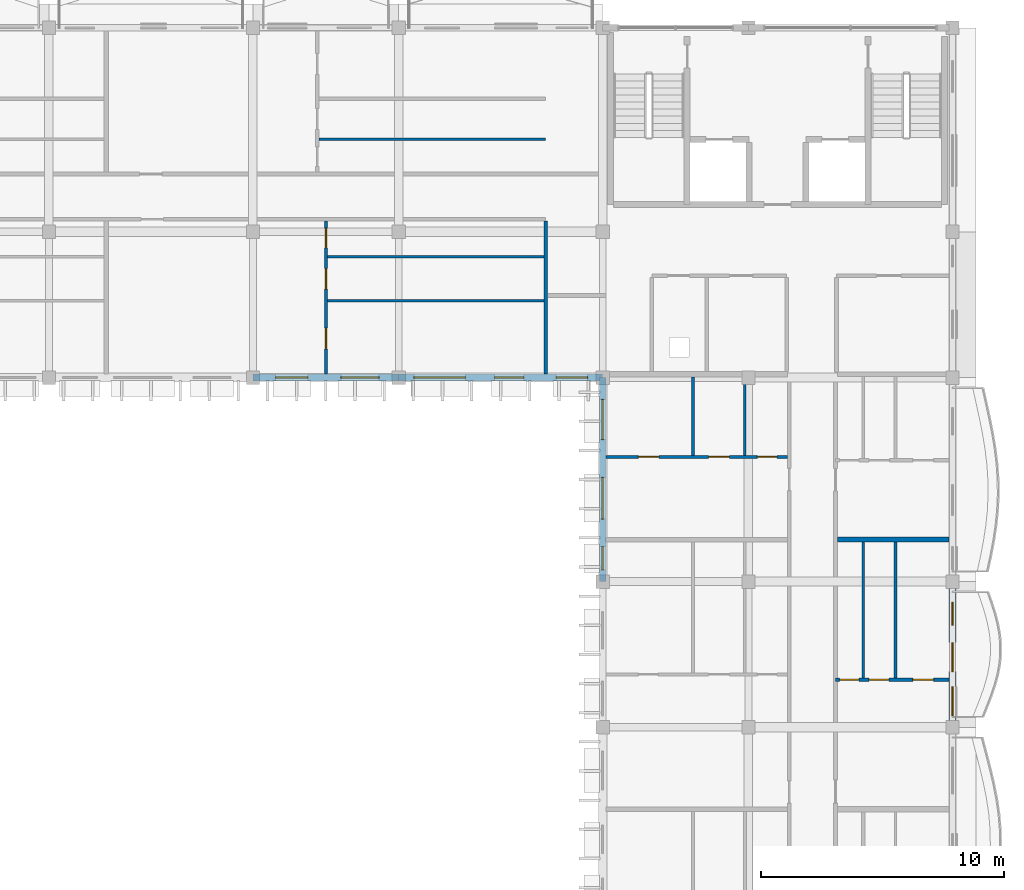
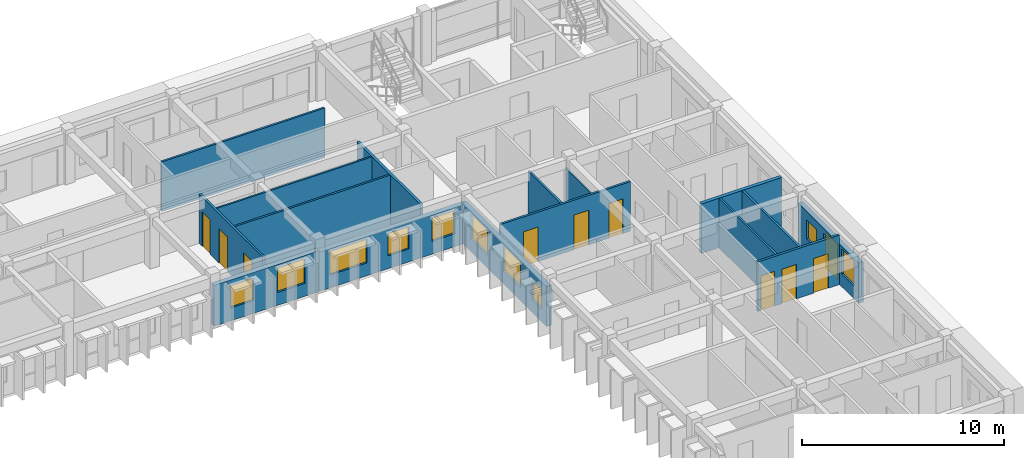
# One storey, part 32 of 59: 16 walls, 10 doors, 10 windows, 20 openings.
"""IFC4 building model written with IfcOpenShell, lengths in metres."""

from ifc_helpers import new_model, si_unit, direction, frame, frame_2d, origin, place, context, subcontext, project, spatial, rectangle, extrude, material, layer, layer_set, type_object, element, fill, save


model = new_model("IFC4")

# Units and contexts
model_context = context("Model", 3, precision=1e-05, world=origin(), true_north=direction((0.0, 1.0)))
body_context = subcontext(model_context, "Body", "Model", "MODEL_VIEW")
ifc_project = project(units=[si_unit("LENGTHUNIT", "METRE"), si_unit("AREAUNIT", "SQUARE_METRE"), si_unit("VOLUMEUNIT", "CUBIC_METRE"), si_unit("PLANEANGLEUNIT", "RADIAN"), si_unit("MASSUNIT", "GRAM", prefix="KILO"), si_unit("THERMODYNAMICTEMPERATUREUNIT", "KELVIN")], contexts=[model_context])

# Site, building, storey
site_placement = place(None, origin())
site = spatial("IfcSite", under=ifc_project, at=site_placement, CompositionType="ELEMENT")
building_placement = place(site_placement, origin())
building = spatial("IfcBuilding", under=site, at=building_placement, Name="Thalorik Housing Commons", CompositionType="ELEMENT")
storey_placement = place(building_placement, frame((0.0, 0.0, 27.89990234375)))
storey = spatial("IfcBuildingStorey", under=building, at=storey_placement, Name="L08", CompositionType="ELEMENT", Elevation=27.89990234375)

# Wall
ifc_material_1 = material(Name="Masonry fire-rated corridor wall", Category="masonry")
ifc_layer_1 = layer(ifc_material_1, 0.14990234375, Name="Masonry fire-rated corridor wall", Category="masonry")
ifc_layer_set_1 = layer_set([ifc_layer_1], Name="Masonry fire-rated corridor wall")
wall_type_1 = type_object("IfcWallType", Name="ARC-WAL-CORR-150", PredefinedType="PARTITIONING", material=ifc_layer_set_1)
wall_1_placement = place(storey_placement, frame((150.050048828125, 109.339599609375, 0.0), z_axis=(0.0, 0.0, 1.0), x_axis=(0.0, 1.0, 0.0)))
element("IfcWall", 1, at=wall_1_placement, inside=storey, type_object=wall_type_1, Name="L08 Block B Vestibule Cheek Wall", PredefinedType="PARTITIONING", context=body_context, shape_type="SweptSolid", body=[
    extrude(rectangle(XDim=6.303466796875, YDim=0.14990234375, at=frame_2d((3.15185546875, 0.0))), origin(), (0.0, 0.0, 1.0), 3.0),
])

# Wall, openings, windows
ifc_material_2 = material(Name="White precast concrete C40/50", Category="concrete")
ifc_layer_2 = layer(ifc_material_2, 0.27490234375, Name="White precast concrete C40/50", Category="concrete")
ifc_layer_set_2 = layer_set([ifc_layer_2], Name="White precast concrete C40/50")
wall_type_2 = type_object("IfcWallType", Name="ARC-WAL-EXT-275", PredefinedType="STANDARD", material=ifc_layer_set_2)
wall_2_placement = place(storey_placement, frame((138.0, 109.199951171875, 0.0), z_axis=(0.0, 0.0, 1.0), x_axis=(1.0, 0.0, 0.0)))
wall_2 = element("IfcWall", 2, at=wall_2_placement, inside=storey, type_object=wall_type_2, Name="L08 Exterior Wall WAL-EXT-L08-B-0695", PredefinedType="STANDARD", context=body_context, shape_type="SweptSolid", body=[
    extrude(rectangle(XDim=6.0, YDim=0.27490234375, at=frame_2d((3.0, 0.0))), origin(), (0.0, 0.0, 1.0), 2.47509765625),
])
opening_1_placement = place(wall_2_placement, frame((0.9375, 0.0, 0.780029296875)))
opening_1 = element("IfcOpeningElement", 3, at=opening_1_placement, cuts=wall_2, Name="Opening W-48", PredefinedType="OPENING", context=body_context, shape_type="SweptSolid", body=[
    extrude(rectangle(XDim=1.320068359375, YDim=1.35009765625, at=frame_2d((0.66015625, 0.675048828125))), frame((0.0, 0.1474609375, 0.0), z_axis=(0.0, -1.0, 0.0), x_axis=(1.0, 0.0, 0.0)), (0.0, 0.0, 1.0), 0.294921875),
])
opening_2_placement = place(wall_2_placement, frame((3.617431640625, 0.0, 0.780029296875)))
opening_2 = element("IfcOpeningElement", 4, at=opening_2_placement, cuts=wall_2, Name="Opening W-53", PredefinedType="OPENING", context=body_context, shape_type="SweptSolid", body=[
    extrude(rectangle(XDim=1.580078125, YDim=1.47998046875, at=frame_2d((0.7900390625, 0.739990234375))), frame((0.0, 0.1474609375, 0.0), z_axis=(0.0, -1.0, 0.0), x_axis=(1.0, 0.0, 0.0)), (0.0, 0.0, 1.0), 0.294921875),
])
ifc_material_3 = material(Name="Anodised aluminium and solar-control low-E glass", Category="aluminium")
window_type_1 = type_object("IfcWindowType", Name="ARC-WIN-48", PartitioningType="SINGLE_PANEL", PredefinedType="WINDOW", material=ifc_material_3)
window_1_placement = place(opening_1_placement, origin())
window_1 = element("IfcWindow", 5, at=window_1_placement, inside=storey, type_object=window_type_1, Name="L08 Facade Window 1273", OverallHeight=1.35009765625, OverallWidth=1.320068359375, PartitioningType="SINGLE_PANEL", PredefinedType="WINDOW", context=body_context, shape_type="SweptSolid", body=[
    extrude(rectangle(XDim=1.320068359375, YDim=1.35009765625, at=frame_2d((0.66015625, 0.675048828125))), frame((0.0, 0.030029296875, 0.0), z_axis=(0.0, -1.0, 0.0), x_axis=(1.0, 0.0, 0.0)), (0.0, 0.0, 1.0), 0.06005859375),
])
fill(opening_1, window_1)
window_type_2 = type_object("IfcWindowType", Name="ARC-WIN-53", PartitioningType="SINGLE_PANEL", PredefinedType="WINDOW", material=ifc_material_3)
window_2_placement = place(opening_2_placement, origin())
window_2 = element("IfcWindow", 6, at=window_2_placement, inside=storey, type_object=window_type_2, Name="L08 Facade Window 1274", OverallHeight=1.47998046875, OverallWidth=1.580078125, PartitioningType="SINGLE_PANEL", PredefinedType="WINDOW", context=body_context, shape_type="SweptSolid", body=[
    extrude(rectangle(XDim=1.580078125, YDim=1.47998046875, at=frame_2d((0.7900390625, 0.739990234375))), frame((0.0, 0.030029296875, 0.0), z_axis=(0.0, -1.0, 0.0), x_axis=(1.0, 0.0, 0.0)), (0.0, 0.0, 1.0), 0.06005859375),
])
fill(opening_2, window_2)

wall_3_placement = place(storey_placement, frame((144.0, 109.199951171875, 0.0), z_axis=(0.0, 0.0, 1.0), x_axis=(1.0, 0.0, 0.0)))
wall_3 = element("IfcWall", 7, at=wall_3_placement, inside=storey, type_object=wall_type_2, Name="L08 Exterior Wall WAL-EXT-L08-B-0696", PredefinedType="STANDARD", context=body_context, shape_type="SweptSolid", body=[
    extrude(rectangle(XDim=8.39990234375, YDim=0.27490234375, at=frame_2d((4.199951171875, 0.0))), origin(), (0.0, 0.0, 1.0), 2.375),
])
opening_3_placement = place(wall_3_placement, frame((0.6298828125, 0.0, 0.780029296875)))
opening_3 = element("IfcOpeningElement", 8, at=opening_3_placement, cuts=wall_3, Name="Opening W-64", PredefinedType="OPENING", context=body_context, shape_type="SweptSolid", body=[
    extrude(rectangle(XDim=2.1201171875, YDim=1.43994140625, at=frame_2d((1.06005859375, 0.719970703125))), frame((0.0, 0.1474609375, 0.0), z_axis=(0.0, -1.0, 0.0), x_axis=(1.0, 0.0, 0.0)), (0.0, 0.0, 1.0), 0.294921875),
])
opening_4_placement = place(wall_3_placement, frame((3.949951171875, 0.0, 0.780029296875)))
opening_4 = element("IfcOpeningElement", 9, at=opening_4_placement, cuts=wall_3, Name="Opening W-04", PredefinedType="OPENING", context=body_context, shape_type="SweptSolid", body=[
    extrude(rectangle(XDim=1.199951171875, YDim=1.35009765625, at=frame_2d((0.60009765625, 0.675048828125))), frame((0.0, 0.1474609375, 0.0), z_axis=(0.0, -1.0, 0.0), x_axis=(1.0, 0.0, 0.0)), (0.0, 0.0, 1.0), 0.294921875),
])
opening_5_placement = place(wall_3_placement, frame((6.47998046875, 0.0, 0.780029296875)))
opening_5 = element("IfcOpeningElement", 10, at=opening_5_placement, cuts=wall_3, Name="Opening W-06", PredefinedType="OPENING", context=body_context, shape_type="SweptSolid", body=[
    extrude(rectangle(XDim=1.300048828125, YDim=1.39990234375, at=frame_2d((0.64990234375, 0.699951171875))), frame((0.0, 0.1474609375, 0.0), z_axis=(0.0, -1.0, 0.0), x_axis=(1.0, 0.0, 0.0)), (0.0, 0.0, 1.0), 0.294921875),
])
window_type_3 = type_object("IfcWindowType", Name="ARC-WIN-04", PartitioningType="SINGLE_PANEL", PredefinedType="WINDOW", material=ifc_material_3)
window_3_placement = place(opening_4_placement, origin())
window_3 = element("IfcWindow", 11, at=window_3_placement, inside=storey, type_object=window_type_3, Name="L08 Facade Window 1276", OverallHeight=1.35009765625, OverallWidth=1.199951171875, PartitioningType="SINGLE_PANEL", PredefinedType="WINDOW", context=body_context, shape_type="SweptSolid", body=[
    extrude(rectangle(XDim=1.199951171875, YDim=1.35009765625, at=frame_2d((0.60009765625, 0.675048828125))), frame((0.0, 0.030029296875, 0.0), z_axis=(0.0, -1.0, 0.0), x_axis=(1.0, 0.0, 0.0)), (0.0, 0.0, 1.0), 0.06005859375),
])
fill(opening_4, window_3)
window_type_4 = type_object("IfcWindowType", Name="ARC-WIN-06", PartitioningType="SINGLE_PANEL", PredefinedType="WINDOW", material=ifc_material_3)
window_4_placement = place(opening_5_placement, origin())
window_4 = element("IfcWindow", 12, at=window_4_placement, inside=storey, type_object=window_type_4, Name="L08 Facade Window 1277", OverallHeight=1.39990234375, OverallWidth=1.300048828125, PartitioningType="SINGLE_PANEL", PredefinedType="WINDOW", context=body_context, shape_type="SweptSolid", body=[
    extrude(rectangle(XDim=1.300048828125, YDim=1.39990234375, at=frame_2d((0.64990234375, 0.699951171875))), frame((0.0, 0.030029296875, 0.0), z_axis=(0.0, -1.0, 0.0), x_axis=(1.0, 0.0, 0.0)), (0.0, 0.0, 1.0), 0.06005859375),
])
fill(opening_5, window_4)
window_type_5 = type_object("IfcWindowType", Name="ARC-WIN-64", PartitioningType="DOUBLE_PANEL_VERTICAL", PredefinedType="WINDOW", material=ifc_material_3)
window_5_placement = place(opening_3_placement, origin())
window_5 = element("IfcWindow", 13, at=window_5_placement, inside=storey, type_object=window_type_5, Name="L08 Facade Window 1275", OverallHeight=1.43994140625, OverallWidth=2.1201171875, PartitioningType="DOUBLE_PANEL_VERTICAL", PredefinedType="WINDOW", context=body_context, shape_type="SweptSolid", body=[
    extrude(rectangle(XDim=2.1201171875, YDim=1.43994140625, at=frame_2d((1.06005859375, 0.719970703125))), frame((0.0, 0.030029296875, 0.0), z_axis=(0.0, -1.0, 0.0), x_axis=(1.0, 0.0, 0.0)), (0.0, 0.0, 1.0), 0.06005859375),
])
fill(opening_3, window_5)

wall_4_placement = place(storey_placement, frame((152.39990234375, 109.199951171875, 0.0), z_axis=(0.0, 0.0, 1.0), x_axis=(0.0, -1.0, 0.0)))
wall_4 = element("IfcWall", 14, at=wall_4_placement, inside=storey, type_object=wall_type_2, Name="L08 Exterior Wall WAL-EXT-L08-B-0697", PredefinedType="STANDARD", context=body_context, shape_type="SweptSolid", body=[
    extrude(rectangle(XDim=8.39990234375, YDim=0.27490234375, at=frame_2d((4.199951171875, 0.0))), origin(), (0.0, 0.0, 1.0), 2.425048828125),
])
opening_6_placement = place(wall_4_placement, frame((0.902587890625, 0.0, 0.780029296875)))
opening_6 = element("IfcOpeningElement", 15, at=opening_6_placement, cuts=wall_4, Name="Opening W-15", PredefinedType="OPENING", context=body_context, shape_type="SweptSolid", body=[
    extrude(rectangle(XDim=1.64990234375, YDim=1.5, at=frame_2d((0.824951171875, 0.75))), frame((0.0, 0.1474609375, 0.0), z_axis=(0.0, -1.0, 0.0), x_axis=(1.0, 0.0, 0.0)), (0.0, 0.0, 1.0), 0.294921875),
])
opening_7_placement = place(wall_4_placement, frame((4.107421875, 0.0, 0.780029296875)))
opening_7 = element("IfcOpeningElement", 16, at=opening_7_placement, cuts=wall_4, Name="Opening W-56", PredefinedType="OPENING", context=body_context, shape_type="SweptSolid", body=[
    extrude(rectangle(XDim=1.719970703125, YDim=1.52001953125, at=frame_2d((0.85986328125, 0.760009765625))), frame((0.0, 0.1474609375, 0.0), z_axis=(0.0, -1.0, 0.0), x_axis=(1.0, 0.0, 0.0)), (0.0, 0.0, 1.0), 0.294921875),
])
opening_8_placement = place(wall_4_placement, frame((6.965087890625, 0.0, 0.780029296875)))
opening_8 = element("IfcOpeningElement", 17, at=opening_8_placement, cuts=wall_4, Name="Opening W-43", PredefinedType="OPENING", context=body_context, shape_type="SweptSolid", body=[
    extrude(rectangle(XDim=0.949951171875, YDim=1.14990234375, at=frame_2d((0.47509765625, 0.574951171875))), frame((0.0, 0.1474609375, 0.0), z_axis=(0.0, -1.0, 0.0), x_axis=(1.0, 0.0, 0.0)), (0.0, 0.0, 1.0), 0.294921875),
])
window_type_6 = type_object("IfcWindowType", Name="ARC-WIN-15", PartitioningType="DOUBLE_PANEL_VERTICAL", PredefinedType="WINDOW", material=ifc_material_3)
window_6_placement = place(opening_6_placement, origin())
window_6 = element("IfcWindow", 18, at=window_6_placement, inside=storey, type_object=window_type_6, Name="L08 Facade Window 1278", OverallHeight=1.5, OverallWidth=1.64990234375, PartitioningType="DOUBLE_PANEL_VERTICAL", PredefinedType="WINDOW", context=body_context, shape_type="SweptSolid", body=[
    extrude(rectangle(XDim=1.64990234375, YDim=1.5, at=frame_2d((0.824951171875, 0.75))), frame((0.0, 0.030029296875, 0.0), z_axis=(0.0, -1.0, 0.0), x_axis=(1.0, 0.0, 0.0)), (0.0, 0.0, 1.0), 0.06005859375),
])
fill(opening_6, window_6)
window_type_7 = type_object("IfcWindowType", Name="ARC-WIN-43", PartitioningType="SINGLE_PANEL", PredefinedType="WINDOW", material=ifc_material_3)
window_7_placement = place(opening_8_placement, origin())
window_7 = element("IfcWindow", 19, at=window_7_placement, inside=storey, type_object=window_type_7, Name="L08 Facade Window 1280", OverallHeight=1.14990234375, OverallWidth=0.949951171875, PartitioningType="SINGLE_PANEL", PredefinedType="WINDOW", context=body_context, shape_type="SweptSolid", body=[
    extrude(rectangle(XDim=0.949951171875, YDim=1.14990234375, at=frame_2d((0.47509765625, 0.574951171875))), frame((0.0, 0.030029296875, 0.0), z_axis=(0.0, -1.0, 0.0), x_axis=(1.0, 0.0, 0.0)), (0.0, 0.0, 1.0), 0.06005859375),
])
fill(opening_8, window_7)
window_type_8 = type_object("IfcWindowType", Name="ARC-WIN-56", PartitioningType="DOUBLE_PANEL_VERTICAL", PredefinedType="WINDOW", material=ifc_material_3)
window_8_placement = place(opening_7_placement, origin())
window_8 = element("IfcWindow", 20, at=window_8_placement, inside=storey, type_object=window_type_8, Name="L08 Facade Window 1279", OverallHeight=1.52001953125, OverallWidth=1.719970703125, PartitioningType="DOUBLE_PANEL_VERTICAL", PredefinedType="WINDOW", context=body_context, shape_type="SweptSolid", body=[
    extrude(rectangle(XDim=1.719970703125, YDim=1.52001953125, at=frame_2d((0.85986328125, 0.760009765625))), frame((0.0, 0.030029296875, 0.0), z_axis=(0.0, -1.0, 0.0), x_axis=(1.0, 0.0, 0.0)), (0.0, 0.0, 1.0), 0.06005859375),
])
fill(opening_7, window_8)

# Wall, openings, door, windows
wall_5_placement = place(storey_placement, frame((166.800048828125, 94.800048828125, 0.0), z_axis=(0.0, 0.0, 1.0), x_axis=(0.0, 1.0, 0.0)))
wall_5 = element("IfcWall", 21, at=wall_5_placement, inside=storey, type_object=wall_type_2, Name="L08 Exterior Wall WAL-EXT-L08-B-0705", PredefinedType="STANDARD", context=body_context, shape_type="SweptSolid", body=[
    extrude(rectangle(XDim=6.0, YDim=0.27490234375, at=frame_2d((3.0, 0.0))), origin(), (0.0, 0.0, 1.0), 2.445068359375),
])
opening_9_placement = place(wall_5_placement, frame((2.2880859375, 0.0, 0.0)))
opening_9 = element("IfcOpeningElement", 22, at=opening_9_placement, cuts=wall_5, Name="Opening ED-0234", PredefinedType="OPENING", context=body_context, shape_type="SweptSolid", body=[
    extrude(rectangle(XDim=1.199951171875, YDim=2.14990234375, at=frame_2d((0.60009765625, 1.074951171875))), frame((0.0, 0.1474609375, 0.0), z_axis=(0.0, -1.0, 0.0), x_axis=(1.0, 0.0, 0.0)), (0.0, 0.0, 1.0), 0.294921875),
])
opening_10_placement = place(wall_5_placement, frame((0.47412109375, 0.0, 0.780029296875)))
opening_10 = element("IfcOpeningElement", 23, at=opening_10_placement, cuts=wall_5, Name="Opening W-05", PredefinedType="OPENING", context=body_context, shape_type="SweptSolid", body=[
    extrude(rectangle(XDim=1.199951171875, YDim=1.5, at=frame_2d((0.60009765625, 0.75))), frame((0.0, 0.1474609375, 0.0), z_axis=(0.0, -1.0, 0.0), x_axis=(1.0, 0.0, 0.0)), (0.0, 0.0, 1.0), 0.294921875),
])
opening_11_placement = place(wall_5_placement, frame((4.198974609375, 0.0, 0.780029296875)))
opening_11 = element("IfcOpeningElement", 24, at=opening_11_placement, cuts=wall_5, Name="Opening W-43", PredefinedType="OPENING", context=body_context, shape_type="SweptSolid", body=[
    extrude(rectangle(XDim=0.949951171875, YDim=1.14990234375, at=frame_2d((0.47509765625, 0.574951171875))), frame((0.0, 0.1474609375, 0.0), z_axis=(0.0, -1.0, 0.0), x_axis=(1.0, 0.0, 0.0)), (0.0, 0.0, 1.0), 0.294921875),
])
ifc_material_4 = material(Name="Anodised aluminium and laminated safety glass", Category="aluminium")
door_type_1 = type_object("IfcDoorType", Name="ARC-DR-BAL-1200", OperationType="NOTDEFINED", PredefinedType="DOOR", material=ifc_material_4)
door_1_placement = place(opening_9_placement, frame((1.199951171875, 0.0, 0.0), z_axis=(0.0, 0.0, 1.0), x_axis=(-1.0, 0.0, 0.0)))
door_1 = element("IfcDoor", 25, at=door_1_placement, inside=storey, type_object=door_type_1, Name="L08 Block B Balcony Glazed Door", OperationType="SINGLE_SWING_LEFT", OverallHeight=2.14990234375, OverallWidth=1.199951171875, PredefinedType="DOOR", context=body_context, shape_type="SweptSolid", body=[
    extrude(rectangle(XDim=1.199951171875, YDim=2.14990234375, at=frame_2d((0.60009765625, 1.074951171875))), frame((0.0, 0.02490234375, 0.0), z_axis=(0.0, -1.0, 0.0), x_axis=(1.0, 0.0, 0.0)), (0.0, 0.0, 1.0), 0.050048828125),
])
fill(opening_9, door_1)
window_type_9 = type_object("IfcWindowType", Name="ARC-WIN-05", PartitioningType="SINGLE_PANEL", PredefinedType="WINDOW", material=ifc_material_3)
window_9_placement = place(opening_10_placement, origin())
window_9 = element("IfcWindow", 26, at=window_9_placement, inside=storey, type_object=window_type_9, Name="L08 Facade Window 1297", OverallHeight=1.5, OverallWidth=1.199951171875, PartitioningType="SINGLE_PANEL", PredefinedType="WINDOW", context=body_context, shape_type="SweptSolid", body=[
    extrude(rectangle(XDim=1.199951171875, YDim=1.5, at=frame_2d((0.60009765625, 0.75))), frame((0.0, 0.030029296875, 0.0), z_axis=(0.0, -1.0, 0.0), x_axis=(1.0, 0.0, 0.0)), (0.0, 0.0, 1.0), 0.06005859375),
])
fill(opening_10, window_9)
window_10_placement = place(opening_11_placement, origin())
window_10 = element("IfcWindow", 27, at=window_10_placement, inside=storey, type_object=window_type_7, Name="L08 Facade Window 1298", OverallHeight=1.14990234375, OverallWidth=0.949951171875, PartitioningType="SINGLE_PANEL", PredefinedType="WINDOW", context=body_context, shape_type="SweptSolid", body=[
    extrude(rectangle(XDim=0.949951171875, YDim=1.14990234375, at=frame_2d((0.47509765625, 0.574951171875))), frame((0.0, 0.030029296875, 0.0), z_axis=(0.0, -1.0, 0.0), x_axis=(1.0, 0.0, 0.0)), (0.0, 0.0, 1.0), 0.06005859375),
])
fill(opening_11, window_10)

# Walls
ifc_material_5 = material(Name="Gypsum light stud partition", Category="masonry")
ifc_layer_3 = layer(ifc_material_5, 0.10009765625, Name="Gypsum light stud partition", Category="masonry")
ifc_layer_set_3 = layer_set([ifc_layer_3], Name="Gypsum light stud partition")
wall_type_3 = type_object("IfcWallType", Name="ARC-WAL-PART-100", PredefinedType="PARTITIONING", material=ifc_layer_set_3)
wall_6_placement = place(storey_placement, frame((141.069580078125, 114.169677734375, 0.0), z_axis=(0.0, 0.0, 1.0), x_axis=(1.0, 0.0, 0.0)))
element("IfcWall", 28, at=wall_6_placement, inside=storey, type_object=wall_type_3, Name="L08 Unit 3 Wet Wall", PredefinedType="PARTITIONING", context=body_context, shape_type="SweptSolid", body=[
    extrude(rectangle(XDim=8.9033203125, YDim=0.10009765625, at=frame_2d((4.45166015625, 0.0))), origin(), (0.0, 0.0, 1.0), 3.0),
])
wall_7_placement = place(storey_placement, frame((158.251220703125, 105.99951171875, 0.0), z_axis=(0.0, 0.0, 1.0), x_axis=(0.0, 1.0, 0.0)))
element("IfcWall", 29, at=wall_7_placement, inside=storey, type_object=wall_type_3, Name="L08 Unit 3 Wet Wall", PredefinedType="PARTITIONING", context=body_context, shape_type="SweptSolid", body=[
    extrude(rectangle(XDim=3.228515625, YDim=0.10009765625, at=frame_2d((1.6142578125, 0.0))), origin(), (0.0, 0.0, 1.0), 2.425048828125),
])
ifc_material_6 = material(Name="Gypsum moisture-resistant partition", Category="masonry")
ifc_layer_4 = layer(ifc_material_6, 0.114990234375, Name="Gypsum moisture-resistant partition", Category="masonry")
ifc_layer_set_4 = layer_set([ifc_layer_4], Name="Gypsum moisture-resistant partition")
wall_type_4 = type_object("IfcWallType", Name="ARC-WAL-PART-115", PredefinedType="PARTITIONING", material=ifc_layer_set_4)
wall_8_placement = place(storey_placement, frame((141.069580078125, 112.36083984375, 0.0), z_axis=(0.0, 0.0, 1.0), x_axis=(1.0, 0.0, 0.0)))
element("IfcWall", 30, at=wall_8_placement, inside=storey, type_object=wall_type_4, Name="L08 Unit 3 Bedroom Partition", PredefinedType="PARTITIONING", context=body_context, shape_type="SweptSolid", body=[
    extrude(rectangle(XDim=8.9033203125, YDim=0.114990234375, at=frame_2d((4.45166015625, 0.0))), origin(), (0.0, 0.0, 1.0), 3.0),
])
wall_9_placement = place(storey_placement, frame((140.715087890625, 119.010498046875, 0.0), z_axis=(0.0, 0.0, 1.0), x_axis=(1.0, 0.0, 0.0)))
element("IfcWall", 31, at=wall_9_placement, inside=storey, type_object=wall_type_4, Name="L08 Unit 3B Wet Wall", PredefinedType="PARTITIONING", context=body_context, shape_type="SweptSolid", body=[
    extrude(rectangle(XDim=9.3349609375, YDim=0.114990234375, at=frame_2d((4.66748046875, 0.0))), origin(), (0.0, 0.0, 1.0), 3.0),
])
wall_10_placement = place(storey_placement, frame((163.122314453125, 96.830078125, 0.0), z_axis=(0.0, 0.0, 1.0), x_axis=(0.0, 1.0, 0.0)))
element("IfcWall", 32, at=wall_10_placement, inside=storey, type_object=wall_type_4, Name="L08 Unit 2B Wet Wall", PredefinedType="PARTITIONING", context=body_context, shape_type="SweptSolid", body=[
    extrude(rectangle(XDim=5.597900390625, YDim=0.114990234375, at=frame_2d((2.798828125, 0.0))), origin(), (0.0, 0.0, 1.0), 3.0),
])
wall_11_placement = place(storey_placement, frame((156.11767578125, 105.99951171875, 0.0), z_axis=(0.0, 0.0, 1.0), x_axis=(0.0, 1.0, 0.0)))
element("IfcWall", 33, at=wall_11_placement, inside=storey, type_object=wall_type_4, Name="L08 Unit 3 Bedroom Partition", PredefinedType="PARTITIONING", context=body_context, shape_type="SweptSolid", body=[
    extrude(rectangle(XDim=3.228515625, YDim=0.114990234375, at=frame_2d((1.6142578125, 0.0))), origin(), (0.0, 0.0, 1.0), 3.0),
])

# Wall, openings, doors
ifc_material_7 = material(Name="Gypsum acoustic stud partition", Category="masonry")
ifc_layer_5 = layer(ifc_material_7, 0.125, Name="Gypsum acoustic stud partition", Category="masonry")
ifc_layer_set_5 = layer_set([ifc_layer_5], Name="Gypsum acoustic stud partition")
wall_type_5 = type_object("IfcWallType", Name="ARC-WAL-PART-125", PredefinedType="PARTITIONING", material=ifc_layer_set_5)
wall_12_placement = place(storey_placement, frame((141.0048828125, 109.339599609375, 0.0), z_axis=(0.0, 0.0, 1.0), x_axis=(0.0, 1.0, 0.0)))
wall_12 = element("IfcWall", 34, at=wall_12_placement, inside=storey, type_object=wall_type_5, Name="L08 Unit 3 Spine Partition", PredefinedType="PARTITIONING", context=body_context, shape_type="SweptSolid", body=[
    extrude(rectangle(XDim=6.303466796875, YDim=0.125, at=frame_2d((3.15185546875, 0.0))), origin(), (0.0, 0.0, 1.0), 3.0),
])
opening_12_placement = place(wall_12_placement, frame((1.0458984375, 0.0, 0.0)))
opening_12 = element("IfcOpeningElement", 35, at=opening_12_placement, cuts=wall_12, Name="Opening ID-1346", PredefinedType="OPENING", context=body_context, shape_type="SweptSolid", body=[
    extrude(rectangle(XDim=0.85009765625, YDim=2.10009765625, at=frame_2d((0.425048828125, 1.050048828125))), frame((0.0, 0.072509765625, 0.0), z_axis=(0.0, -1.0, 0.0), x_axis=(1.0, 0.0, 0.0)), (0.0, 0.0, 1.0), 0.14501953125),
])
opening_13_placement = place(wall_12_placement, frame((3.500732421875, 0.0, 0.0)))
opening_13 = element("IfcOpeningElement", 36, at=opening_13_placement, cuts=wall_12, Name="Opening ID-1347", PredefinedType="OPENING", context=body_context, shape_type="SweptSolid", body=[
    extrude(rectangle(XDim=0.85009765625, YDim=2.10009765625, at=frame_2d((0.425048828125, 1.050048828125))), frame((0.0, 0.072509765625, 0.0), z_axis=(0.0, -1.0, 0.0), x_axis=(1.0, 0.0, 0.0)), (0.0, 0.0, 1.0), 0.14501953125),
])
opening_14_placement = place(wall_12_placement, frame((5.205322265625, 0.0, 0.0)))
opening_14 = element("IfcOpeningElement", 37, at=opening_14_placement, cuts=wall_12, Name="Opening ID-1348", PredefinedType="OPENING", context=body_context, shape_type="SweptSolid", body=[
    extrude(rectangle(XDim=0.800048828125, YDim=2.10009765625, at=frame_2d((0.39990234375, 1.050048828125))), frame((0.0, 0.072509765625, 0.0), z_axis=(0.0, -1.0, 0.0), x_axis=(1.0, 0.0, 0.0)), (0.0, 0.0, 1.0), 0.14501953125),
])
ifc_material_8 = material(Name="Moisture-resistant timber", Category="wood")
door_type_2 = type_object("IfcDoorType", Name="ARC-DR-INT-800", OperationType="NOTDEFINED", PredefinedType="DOOR", material=ifc_material_8)
door_2_placement = place(opening_14_placement, origin())
door_2 = element("IfcDoor", 38, at=door_2_placement, inside=storey, type_object=door_type_2, Name="L08 Accessible Bathroom Door", OperationType="SINGLE_SWING_LEFT", OverallHeight=2.10009765625, OverallWidth=0.800048828125, PredefinedType="DOOR", context=body_context, shape_type="SweptSolid", body=[
    extrude(rectangle(XDim=0.800048828125, YDim=2.10009765625, at=frame_2d((0.39990234375, 1.050048828125))), frame((0.0, 0.02490234375, 0.0), z_axis=(0.0, -1.0, 0.0), x_axis=(1.0, 0.0, 0.0)), (0.0, 0.0, 1.0), 0.050048828125),
])
fill(opening_14, door_2)
ifc_material_9 = material(Name="Engineered oak timber", Category="wood")
door_type_3 = type_object("IfcDoorType", Name="ARC-DR-INT-850", OperationType="NOTDEFINED", PredefinedType="DOOR", material=ifc_material_9)
door_3_placement = place(opening_12_placement, origin())
door_3 = element("IfcDoor", 39, at=door_3_placement, inside=storey, type_object=door_type_3, Name="L08 Double Bedroom Door", OperationType="SINGLE_SWING_LEFT", OverallHeight=2.10009765625, OverallWidth=0.85009765625, PredefinedType="DOOR", context=body_context, shape_type="SweptSolid", body=[
    extrude(rectangle(XDim=0.85009765625, YDim=2.10009765625, at=frame_2d((0.425048828125, 1.050048828125))), frame((0.0, 0.02490234375, 0.0), z_axis=(0.0, -1.0, 0.0), x_axis=(1.0, 0.0, 0.0)), (0.0, 0.0, 1.0), 0.050048828125),
])
fill(opening_12, door_3)
door_4_placement = place(opening_13_placement, origin())
door_4 = element("IfcDoor", 40, at=door_4_placement, inside=storey, type_object=door_type_3, Name="L08 Galley Kitchen Door", OperationType="SINGLE_SWING_RIGHT", OverallHeight=2.10009765625, OverallWidth=0.85009765625, PredefinedType="DOOR", context=body_context, shape_type="SweptSolid", body=[
    extrude(rectangle(XDim=0.85009765625, YDim=2.10009765625, at=frame_2d((0.425048828125, 1.050048828125))), frame((0.0, 0.02490234375, 0.0), z_axis=(0.0, -1.0, 0.0), x_axis=(1.0, 0.0, 0.0)), (0.0, 0.0, 1.0), 0.050048828125),
])
fill(opening_13, door_4)

# Wall
wall_13_placement = place(storey_placement, frame((164.455078125, 96.830078125, 0.0), z_axis=(0.0, 0.0, 1.0), x_axis=(0.0, 1.0, 0.0)))
element("IfcWall", 41, at=wall_13_placement, inside=storey, type_object=wall_type_5, Name="L08 Unit 2B Bedroom Partition", PredefinedType="PARTITIONING", context=body_context, shape_type="SweptSolid", body=[
    extrude(rectangle(XDim=5.597900390625, YDim=0.125, at=frame_2d((2.798828125, 0.0))), origin(), (0.0, 0.0, 1.0), 3.0),
])

# Wall, openings, doors
wall_14_placement = place(storey_placement, frame((152.53955078125, 105.93505859375, 0.0), z_axis=(0.0, 0.0, 1.0), x_axis=(1.0, 0.0, 0.0)))
wall_14 = element("IfcWall", 42, at=wall_14_placement, inside=storey, type_object=wall_type_5, Name="L08 Unit 3 Spine Partition", PredefinedType="PARTITIONING", context=body_context, shape_type="SweptSolid", body=[
    extrude(rectangle(XDim=7.46337890625, YDim=0.125, at=frame_2d((3.731689453125, 0.0))), origin(), (0.0, 0.0, 1.0), 3.0),
])
opening_15_placement = place(wall_14_placement, frame((1.32421875, 0.0, 0.0)))
opening_15 = element("IfcOpeningElement", 43, at=opening_15_placement, cuts=wall_14, Name="Opening ID-1370", PredefinedType="OPENING", context=body_context, shape_type="SweptSolid", body=[
    extrude(rectangle(XDim=0.85009765625, YDim=2.10009765625, at=frame_2d((0.425048828125, 1.050048828125))), frame((0.0, 0.072509765625, 0.0), z_axis=(0.0, -1.0, 0.0), x_axis=(1.0, 0.0, 0.0)), (0.0, 0.0, 1.0), 0.14501953125),
])
opening_16_placement = place(wall_14_placement, frame((4.219970703125, 0.0, 0.0)))
opening_16 = element("IfcOpeningElement", 44, at=opening_16_placement, cuts=wall_14, Name="Opening ID-1371", PredefinedType="OPENING", context=body_context, shape_type="SweptSolid", body=[
    extrude(rectangle(XDim=0.85009765625, YDim=2.10009765625, at=frame_2d((0.425048828125, 1.050048828125))), frame((0.0, 0.072509765625, 0.0), z_axis=(0.0, -1.0, 0.0), x_axis=(1.0, 0.0, 0.0)), (0.0, 0.0, 1.0), 0.14501953125),
])
opening_17_placement = place(wall_14_placement, frame((6.22607421875, 0.0, 0.0)))
opening_17 = element("IfcOpeningElement", 45, at=opening_17_placement, cuts=wall_14, Name="Opening ID-1372", PredefinedType="OPENING", context=body_context, shape_type="SweptSolid", body=[
    extrude(rectangle(XDim=0.800048828125, YDim=2.10009765625, at=frame_2d((0.39990234375, 1.050048828125))), frame((0.0, 0.072509765625, 0.0), z_axis=(0.0, -1.0, 0.0), x_axis=(1.0, 0.0, 0.0)), (0.0, 0.0, 1.0), 0.14501953125),
])
door_5_placement = place(opening_17_placement, origin())
door_5 = element("IfcDoor", 46, at=door_5_placement, inside=storey, type_object=door_type_2, Name="L08 Accessible Bathroom Door", OperationType="SINGLE_SWING_LEFT", OverallHeight=2.10009765625, OverallWidth=0.800048828125, PredefinedType="DOOR", context=body_context, shape_type="SweptSolid", body=[
    extrude(rectangle(XDim=0.800048828125, YDim=2.10009765625, at=frame_2d((0.39990234375, 1.050048828125))), frame((0.0, 0.02490234375, 0.0), z_axis=(0.0, -1.0, 0.0), x_axis=(1.0, 0.0, 0.0)), (0.0, 0.0, 1.0), 0.050048828125),
])
fill(opening_17, door_5)
door_6_placement = place(opening_15_placement, origin())
door_6 = element("IfcDoor", 47, at=door_6_placement, inside=storey, type_object=door_type_3, Name="L08 Double Bedroom Door", OperationType="SINGLE_SWING_LEFT", OverallHeight=2.10009765625, OverallWidth=0.85009765625, PredefinedType="DOOR", context=body_context, shape_type="SweptSolid", body=[
    extrude(rectangle(XDim=0.85009765625, YDim=2.10009765625, at=frame_2d((0.425048828125, 1.050048828125))), frame((0.0, 0.02490234375, 0.0), z_axis=(0.0, -1.0, 0.0), x_axis=(1.0, 0.0, 0.0)), (0.0, 0.0, 1.0), 0.050048828125),
])
fill(opening_15, door_6)
door_7_placement = place(opening_16_placement, origin())
door_7 = element("IfcDoor", 48, at=door_7_placement, inside=storey, type_object=door_type_3, Name="L08 Galley Kitchen Door", OperationType="SINGLE_SWING_RIGHT", OverallHeight=2.10009765625, OverallWidth=0.85009765625, PredefinedType="DOOR", context=body_context, shape_type="SweptSolid", body=[
    extrude(rectangle(XDim=0.85009765625, YDim=2.10009765625, at=frame_2d((0.425048828125, 1.050048828125))), frame((0.0, 0.02490234375, 0.0), z_axis=(0.0, -1.0, 0.0), x_axis=(1.0, 0.0, 0.0)), (0.0, 0.0, 1.0), 0.050048828125),
])
fill(opening_16, door_7)

ifc_material_10 = material(Name="Ceramic masonry partition wall", Category="masonry")
ifc_layer_6 = layer(ifc_material_10, 0.139892578125, Name="Ceramic masonry partition wall", Category="masonry")
ifc_layer_set_6 = layer_set([ifc_layer_6], Name="Ceramic masonry partition wall")
wall_type_6 = type_object("IfcWallType", Name="ARC-WAL-PART-140", PredefinedType="PARTITIONING", material=ifc_layer_set_6)
wall_15_placement = place(storey_placement, frame((161.97998046875, 96.758056640625, 0.0), z_axis=(0.0, 0.0, 1.0), x_axis=(1.0, 0.0, 0.0)))
wall_15 = element("IfcWall", 49, at=wall_15_placement, inside=storey, type_object=wall_type_6, Name="L08 Unit 2B Spine Partition", PredefinedType="PARTITIONING", context=body_context, shape_type="SweptSolid", body=[
    extrude(rectangle(XDim=4.680419921875, YDim=0.139892578125, at=frame_2d((2.34033203125, 0.0))), origin(), (0.0, 0.0, 1.0), 3.0),
])
opening_18_placement = place(wall_15_placement, frame((0.171142578125, 0.0, 0.0)))
opening_18 = element("IfcOpeningElement", 50, at=opening_18_placement, cuts=wall_15, Name="Opening ID-1367", PredefinedType="OPENING", context=body_context, shape_type="SweptSolid", body=[
    extrude(rectangle(XDim=0.800048828125, YDim=2.10009765625, at=frame_2d((0.39990234375, 1.050048828125))), frame((0.0, 0.080078125, 0.0), z_axis=(0.0, -1.0, 0.0), x_axis=(1.0, 0.0, 0.0)), (0.0, 0.0, 1.0), 0.159912109375),
])
opening_19_placement = place(wall_15_placement, frame((1.3837890625, 0.0, 0.0)))
opening_19 = element("IfcOpeningElement", 51, at=opening_19_placement, cuts=wall_15, Name="Opening ID-1368", PredefinedType="OPENING", context=body_context, shape_type="SweptSolid", body=[
    extrude(rectangle(XDim=0.820068359375, YDim=2.080078125, at=frame_2d((0.41015625, 1.0400390625))), frame((0.0, 0.080078125, 0.0), z_axis=(0.0, -1.0, 0.0), x_axis=(1.0, 0.0, 0.0)), (0.0, 0.0, 1.0), 0.159912109375),
])
opening_20_placement = place(wall_15_placement, frame((3.192626953125, 0.0, 0.0)))
opening_20 = element("IfcOpeningElement", 52, at=opening_20_placement, cuts=wall_15, Name="Opening ID-1369", PredefinedType="OPENING", context=body_context, shape_type="SweptSolid", body=[
    extrude(rectangle(XDim=0.85009765625, YDim=2.10009765625, at=frame_2d((0.425048828125, 1.050048828125))), frame((0.0, 0.080078125, 0.0), z_axis=(0.0, -1.0, 0.0), x_axis=(1.0, 0.0, 0.0)), (0.0, 0.0, 1.0), 0.159912109375),
])
door_8_placement = place(opening_18_placement, origin())
door_8 = element("IfcDoor", 53, at=door_8_placement, inside=storey, type_object=door_type_2, Name="L08 Flat Bathroom Door", OperationType="SINGLE_SWING_RIGHT", OverallHeight=2.10009765625, OverallWidth=0.800048828125, PredefinedType="DOOR", context=body_context, shape_type="SweptSolid", body=[
    extrude(rectangle(XDim=0.800048828125, YDim=2.10009765625, at=frame_2d((0.39990234375, 1.050048828125))), frame((0.0, 0.02490234375, 0.0), z_axis=(0.0, -1.0, 0.0), x_axis=(1.0, 0.0, 0.0)), (0.0, 0.0, 1.0), 0.050048828125),
])
fill(opening_18, door_8)
door_type_4 = type_object("IfcDoorType", Name="ARC-DR-INT-820", OperationType="NOTDEFINED", PredefinedType="DOOR", material=ifc_material_9)
door_9_placement = place(opening_19_placement, origin())
door_9 = element("IfcDoor", 54, at=door_9_placement, inside=storey, type_object=door_type_4, Name="L08 Eat-In Kitchen Door", OperationType="SINGLE_SWING_LEFT", OverallHeight=2.080078125, OverallWidth=0.820068359375, PredefinedType="DOOR", context=body_context, shape_type="SweptSolid", body=[
    extrude(rectangle(XDim=0.820068359375, YDim=2.080078125, at=frame_2d((0.41015625, 1.0400390625))), frame((0.0, 0.02490234375, 0.0), z_axis=(0.0, -1.0, 0.0), x_axis=(1.0, 0.0, 0.0)), (0.0, 0.0, 1.0), 0.050048828125),
])
fill(opening_19, door_9)
door_10_placement = place(opening_20_placement, origin())
door_10 = element("IfcDoor", 55, at=door_10_placement, inside=storey, type_object=door_type_3, Name="L08 Master Bedroom Door", OperationType="SINGLE_SWING_RIGHT", OverallHeight=2.10009765625, OverallWidth=0.85009765625, PredefinedType="DOOR", context=body_context, shape_type="SweptSolid", body=[
    extrude(rectangle(XDim=0.85009765625, YDim=2.10009765625, at=frame_2d((0.425048828125, 1.050048828125))), frame((0.0, 0.02490234375, 0.0), z_axis=(0.0, -1.0, 0.0), x_axis=(1.0, 0.0, 0.0)), (0.0, 0.0, 1.0), 0.050048828125),
])
fill(opening_20, door_10)

# Wall
ifc_material_11 = material(Name="Precast concrete C40/50 acoustic wall", Category="concrete")
ifc_layer_7 = layer(ifc_material_11, 0.199951171875, Name="Precast concrete C40/50 acoustic wall", Category="concrete")
ifc_layer_set_7 = layer_set([ifc_layer_7], Name="Precast concrete C40/50 acoustic wall")
wall_type_7 = type_object("IfcWallType", Name="ARC-WAL-PARTY-200", PredefinedType="PARTITIONING", material=ifc_layer_set_7)
wall_16_placement = place(storey_placement, frame((162.064453125, 102.530029296875, 0.0), z_axis=(0.0, 0.0, 1.0), x_axis=(1.0, 0.0, 0.0)))
element("IfcWall", 56, at=wall_16_placement, inside=storey, type_object=wall_type_7, Name="L08 Inter-Tenancy Wall 2B", PredefinedType="PARTITIONING", context=body_context, shape_type="SweptSolid", body=[
    extrude(rectangle(XDim=4.595947265625, YDim=0.199951171875, at=frame_2d((2.2978515625, 0.0))), origin(), (0.0, 0.0, 1.0), 3.0),
])

save(model, "model.ifc")
